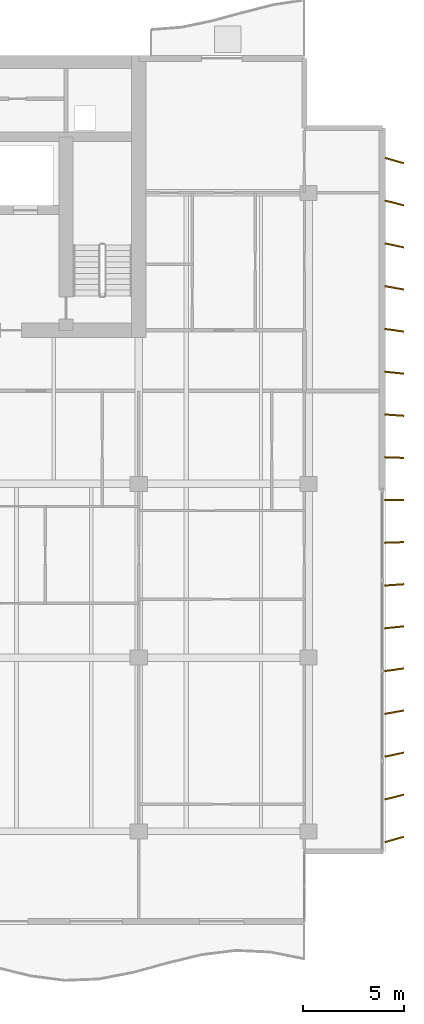
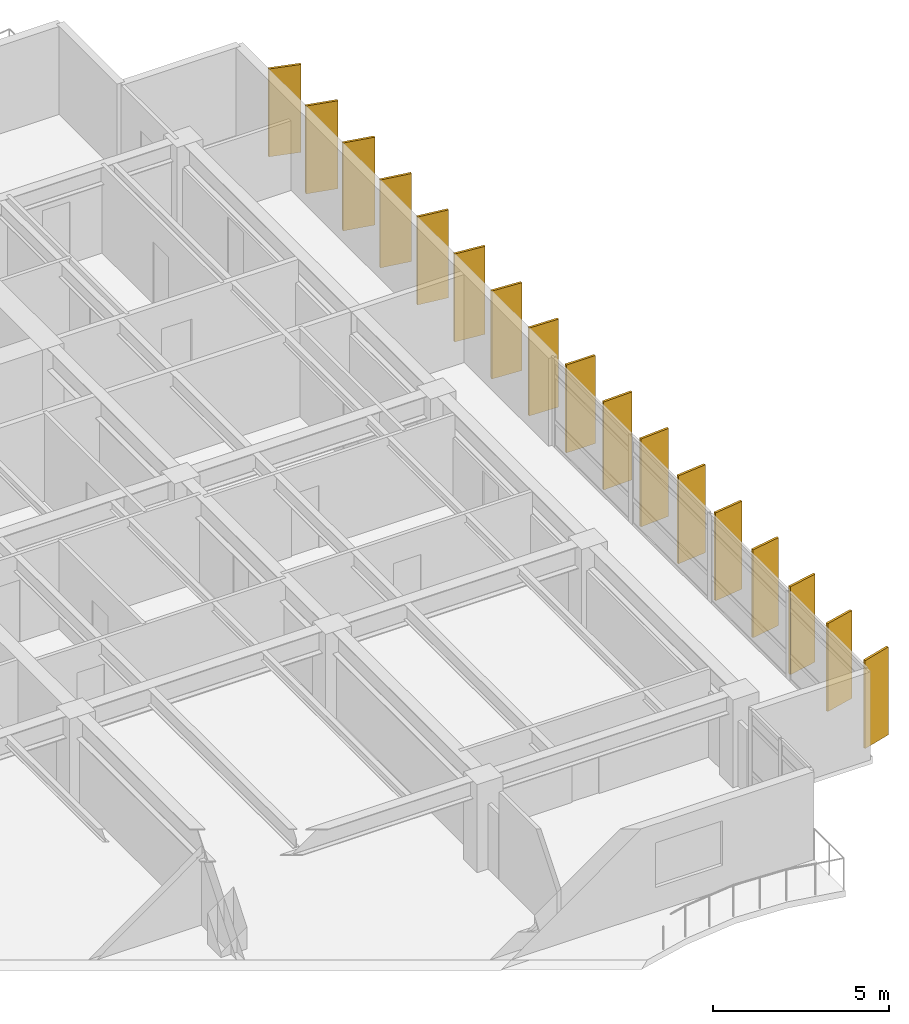
# One storey, part 17 of 17: 17 shading devices.
"""IFC4 building model written with IfcOpenShell, lengths in metres."""

from ifc_helpers import new_model, si_unit, direction, frame, origin, origin_2d, place, context, subcontext, project, spatial, rectangle, extrude, material, material_profile, profile_set, type_object, element, save


model = new_model("IFC4")

# Units and contexts
model_context = context("Model", 3, precision=1e-05, world=origin(), true_north=direction((0.0, 1.0)))
body_context = subcontext(model_context, "Body", "Model", "MODEL_VIEW")
ifc_project = project(units=[si_unit("LENGTHUNIT", "METRE"), si_unit("AREAUNIT", "SQUARE_METRE"), si_unit("VOLUMEUNIT", "CUBIC_METRE"), si_unit("PLANEANGLEUNIT", "RADIAN"), si_unit("MASSUNIT", "GRAM", prefix="KILO")], contexts=[model_context])

# Site, building, storey
site_placement = place(None, origin())
site = spatial("IfcSite", under=ifc_project, at=site_placement, CompositionType="ELEMENT")
building_placement = place(site_placement, origin())
building = spatial("IfcBuilding", under=site, at=building_placement, Name="Caelmar Bay Residences", CompositionType="ELEMENT")
storey_placement = place(building_placement, frame((0.0, 0.0, 208.199951171875)))
storey = spatial("IfcBuildingStorey", under=building, at=storey_placement, Name="L58", CompositionType="ELEMENT", Elevation=208.199951171875)

# Shading devices
ifc_material = material(Name="Anodised architectural bronze aluminium 6063-T6", Category="aluminium")
ifc_material_profile = material_profile(ifc_material, rectangle(XDim=0.074951171875, YDim=0.949951171875, at=origin_2d()), Name="BRONZE-FIN-75X950")
ifc_profile_set = profile_set([ifc_material_profile], Name="Anodised architectural bronze aluminium 6063-T6")
shading_device_type = type_object("IfcShadingDeviceType", Name="SHD-FIN-950", PredefinedType="USERDEFINED", material=ifc_profile_set)
for number, where, z_axis, x_axis, name in (
    (1, (72.14990234375, 11.800048828125, 0.0), (0.0, 0.0, 1.0), (-0.275637355817, 0.961261695938, 0.0), "L58 East Bronze Solar Fin 1"),
    (2, (72.14990234375, 13.89990234375, 0.0), (0.0, 0.0, 1.0), (-0.2419218956, 0.970295726276, 0.0), "L58 East Bronze Solar Fin 2"),
    (3, (72.14990234375, 16.0, 0.0), (0.0, 0.0, 1.0), (-0.207911690818, 0.978147600734, 0.0), "L58 East Bronze Solar Fin 3"),
    (4, (72.14990234375, 18.10009765625, 0.0), (0.0, 0.0, 1.0), (-0.173648177667, 0.984807753012, 0.0), "L58 East Bronze Solar Fin 4"),
    (5, (72.14990234375, 20.199951171875, 0.0), (0.0, 0.0, 1.0), (-0.13917310096, 0.990268068742, 0.0), "L58 East Bronze Solar Fin 5"),
    (6, (72.14990234375, 22.300048828125, 0.0), (0.0, 0.0, 1.0), (-0.104528463268, 0.994521895368, 0.0), "L58 East Bronze Solar Fin 6"),
    (7, (72.14990234375, 24.39990234375, 0.0), (0.0, 0.0, 1.0), (-0.069756473744, 0.99756405026, 0.0), "L58 East Bronze Solar Fin 7"),
    (8, (72.14990234375, 26.5, 0.0), (0.0, 0.0, 1.0), (-0.034899496703, 0.999390827019, 0.0), "L58 East Bronze Solar Fin 8"),
    (9, (72.14990234375, 28.60009765625, 0.0), (0.0, 0.0, 1.0), (0.0, 1.0, 0.0), "L58 East Bronze Solar Fin 9"),
    (10, (72.14990234375, 30.699951171875, 0.0), (0.0, 0.0, 1.0), (0.034899496703, 0.999390827019, 0.0), "L58 East Bronze Solar Fin 10"),
    (11, (72.14990234375, 32.800048828125, 0.0), (0.0, 0.0, 1.0), (0.069756473744, 0.99756405026, 0.0), "L58 East Bronze Solar Fin 11"),
    (12, (72.14990234375, 34.89990234375, 0.0), (0.0, 0.0, 1.0), (0.104528463268, 0.994521895368, 0.0), "L58 East Bronze Solar Fin 12"),
    (13, (72.14990234375, 37.0, 0.0), (0.0, 0.0, 1.0), (0.13917310096, 0.990268068742, 0.0), "L58 East Bronze Solar Fin 13"),
    (14, (72.14990234375, 39.10009765625, 0.0), (0.0, 0.0, 1.0), (0.173648177667, 0.984807753012, 0.0), "L58 East Bronze Solar Fin 14"),
    (15, (72.14990234375, 41.199951171875, 0.0), (0.0, 0.0, 1.0), (0.207911690818, 0.978147600734, 0.0), "L58 East Bronze Solar Fin 15"),
    (16, (72.14990234375, 43.300048828125, 0.0), (0.0, 0.0, 1.0), (0.2419218956, 0.970295726276, 0.0), "L58 East Bronze Solar Fin 16"),
    (17, (72.14990234375, 45.39990234375, 0.0), (0.0, 0.0, 1.0), (0.275637355817, 0.961261695938, 0.0), "L58 East Bronze Solar Fin 17"),
):
    element("IfcShadingDevice", number, at=place(storey_placement, frame(where, z_axis=z_axis, x_axis=x_axis)), inside=storey, type_object=shading_device_type, Name=name, ObjectType="FIN", PredefinedType="USERDEFINED", context=body_context, shape_type="SweptSolid", body=[
        extrude(rectangle(XDim=0.074951171875, YDim=0.949951171875, at=origin_2d()), origin(), (0.0, 0.0, 1.0), 3.050048828125),
    ])

save(model, "model.ifc")
